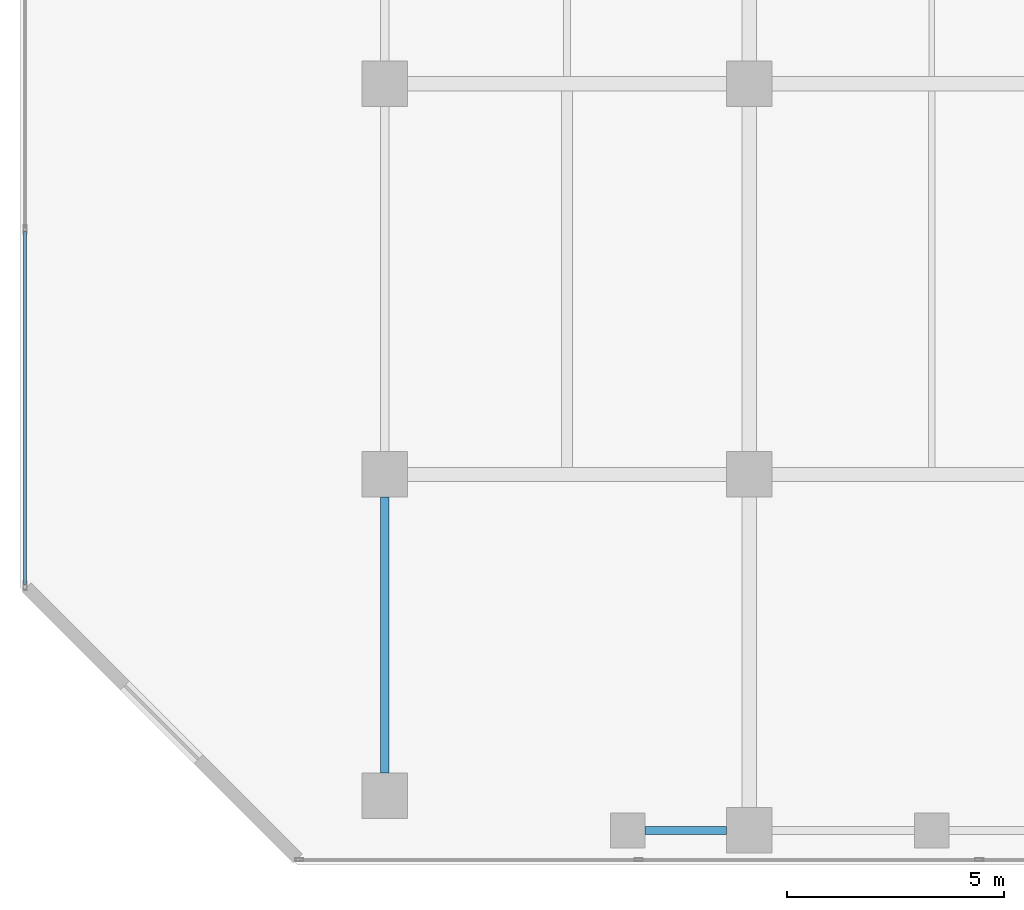
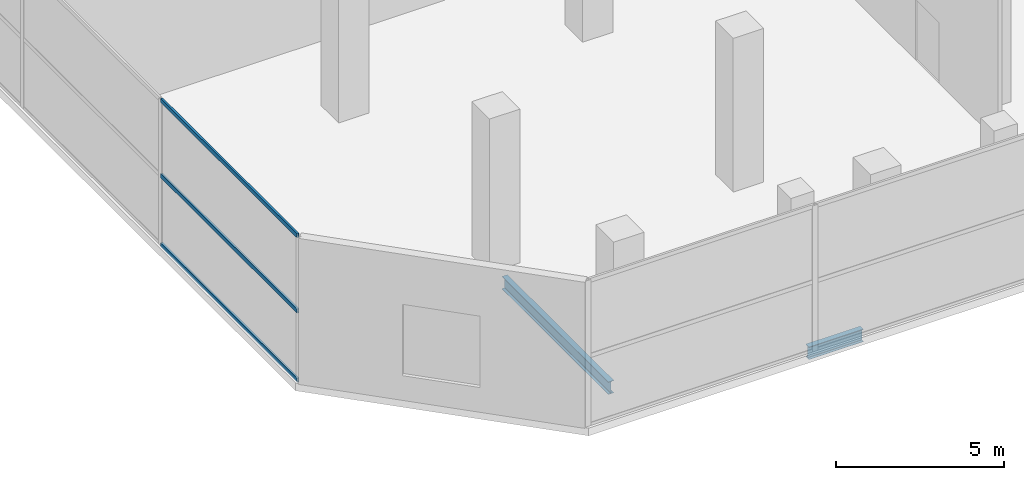
# One storey, part 3 of 40: 3 members, 2 beams, 1 element without a shape of its own.
"""IFC4 building model written with IfcOpenShell, lengths in metres."""

from ifc_helpers import new_model, si_unit, direction, frame, origin, origin_2d, place, context, subcontext, project, spatial, hollow_rectangle, i_section, extrude, material, layer, layer_set, material_profile, profile_set, type_object, element, aggregate, save


model = new_model("IFC4")

# Units and contexts
model_context = context("Model", 3, precision=1e-05, world=origin(), true_north=direction((0.0, 1.0)))
body_context = subcontext(model_context, "Body", "Model", "MODEL_VIEW")
ifc_project = project(units=[si_unit("LENGTHUNIT", "METRE"), si_unit("AREAUNIT", "SQUARE_METRE"), si_unit("VOLUMEUNIT", "CUBIC_METRE"), si_unit("PLANEANGLEUNIT", "RADIAN"), si_unit("MASSUNIT", "GRAM", prefix="KILO")], contexts=[model_context])

# Site, building, storey
site_placement = place(None, origin())
site = spatial("IfcSite", under=ifc_project, at=site_placement, CompositionType="ELEMENT")
building_placement = place(site_placement, origin())
building = spatial("IfcBuilding", under=site, at=building_placement, Name="Maruvema Waterfront Hotel and Observation Tower", CompositionType="ELEMENT")
storey_placement = place(building_placement, frame((0.0, 0.0, 10.85009765625)))
storey = spatial("IfcBuildingStorey", under=building, at=storey_placement, Name="L02", CompositionType="ELEMENT", Elevation=10.85009765625)

# Curtain wall, members
ifc_material_1 = material(Name="Anodised bronze aluminium and solar-control low-E IGU", Category="aluminium")
ifc_layer = layer(ifc_material_1, 0.159912109375, Name="Podium Waterfront Storefront Curtain Wall System CW-01")
ifc_layer_set = layer_set([ifc_layer], Name="Anodised bronze aluminium and solar-control low-E IGU")
curtain_wall_type = type_object("IfcCurtainWallType", Name="Podium Waterfront Storefront Curtain Wall System CW-01", PredefinedType="USERDEFINED", material=ifc_layer_set)
curtain_wall_placement = place(storey_placement, origin())
curtain_wall = element("IfcCurtainWall", 1, at=curtain_wall_placement, inside=storey, type_object=curtain_wall_type, Name="L02 Curtain Wall CW-L02-W", ObjectType="UNITISED CURTAIN WALL", PredefinedType="USERDEFINED")
ifc_material_2 = material(Name="Anodised architectural bronze aluminium", Category="aluminium")
ifc_material_profile_1 = material_profile(ifc_material_2, hollow_rectangle(XDim=0.070068359375, YDim=0.14990234375, WallThickness=0.00390625, at=origin_2d()), Name="ALU-T70x150")
ifc_profile_set_1 = profile_set([ifc_material_profile_1], Name="Anodised architectural bronze aluminium")
member_type = type_object("IfcMemberType", Name="Curtain Wall Horizontal Transom ALU-T70x150", PredefinedType="USERDEFINED", material=ifc_profile_set_1)
member_1_placement = place(storey_placement, frame((0.1201171875, 14.610107421875, 0.02978515625), z_axis=(0.0, -1.0, 0.0), x_axis=(1.0, 0.0, 0.0)))
member_1 = element("IfcMember", 2, at=member_1_placement, type_object=member_type, Name="CW-01 transom 5.1", ObjectType="TRANSOM", PredefinedType="USERDEFINED", context=body_context, shape_type="SweptSolid", body=[
    extrude(hollow_rectangle(XDim=0.070068359375, YDim=0.14990234375, WallThickness=0.00390625, at=origin_2d()), origin(), (0.0, 0.0, 1.0), 8.150146484375),
])
member_2_placement = place(storey_placement, frame((0.1201171875, 14.610107421875, 2.5498046875), z_axis=(0.0, -1.0, 0.0), x_axis=(1.0, 0.0, 0.0)))
member_2 = element("IfcMember", 3, at=member_2_placement, type_object=member_type, Name="CW-01 transom 5.2", ObjectType="TRANSOM", PredefinedType="USERDEFINED", context=body_context, shape_type="SweptSolid", body=[
    extrude(hollow_rectangle(XDim=0.070068359375, YDim=0.14990234375, WallThickness=0.00390625, at=origin_2d()), origin(), (0.0, 0.0, 1.0), 8.150146484375),
])
member_3_placement = place(storey_placement, frame((0.1201171875, 14.610107421875, 5.289794921875), z_axis=(0.0, -1.0, 0.0), x_axis=(1.0, 0.0, 0.0)))
member_3 = element("IfcMember", 4, at=member_3_placement, type_object=member_type, Name="CW-01 transom 5.3", ObjectType="TRANSOM", PredefinedType="USERDEFINED", context=body_context, shape_type="SweptSolid", body=[
    extrude(hollow_rectangle(XDim=0.070068359375, YDim=0.14990234375, WallThickness=0.00390625, at=origin_2d()), origin(), (0.0, 0.0, 1.0), 8.150146484375),
])
aggregate(curtain_wall, [member_1, member_2, member_3])

# Beams
ifc_material_3 = material(Name="Steel ASTM A572 Grade 50", Category="steel")
ifc_material_profile_2 = material_profile(ifc_material_3, i_section(OverallWidth=0.18994140625, OverallDepth=0.45703125, WebThickness=0.009033203125, FlangeThickness=0.014404296875, FilletRadius=0.014892578125, at=origin_2d()), Name="W460x74.0")
ifc_profile_set_2 = profile_set([ifc_material_profile_2], Name="Steel ASTM A572 Grade 50")
beam_type = type_object("IfcBeamType", Name="Perimeter Spandrel Beam W460x74.0", PredefinedType="SPANDREL", material=ifc_profile_set_2)
beam_1_placement = place(storey_placement, frame((14.39990234375, 0.800048828125, -0.508544921875), z_axis=(1.0, 0.0, 0.0), x_axis=(0.0, 1.0, 0.0)))
element("IfcBeam", 5, at=beam_1_placement, inside=storey, type_object=beam_type, Name="L02 Floor Girder EW-01", PredefinedType="SPANDREL", context=body_context, shape_type="SweptSolid", body=[
    extrude(i_section(OverallWidth=0.18994140625, OverallDepth=0.45703125, WebThickness=0.009033203125, FlangeThickness=0.014404296875, FilletRadius=0.014892578125, at=origin_2d()), origin(), (0.0, 0.0, 1.0), 1.875),
])
beam_2_placement = place(storey_placement, frame((8.39990234375, 2.125, -0.508544921875), z_axis=(0.0, 1.0, 0.0), x_axis=(-1.0, 0.0, 0.0)))
element("IfcBeam", 6, at=beam_2_placement, inside=storey, type_object=beam_type, Name="L02 Floor Girder NS-01", PredefinedType="SPANDREL", context=body_context, shape_type="SweptSolid", body=[
    extrude(i_section(OverallWidth=0.18994140625, OverallDepth=0.45703125, WebThickness=0.009033203125, FlangeThickness=0.014404296875, FilletRadius=0.014892578125, at=origin_2d()), origin(), (0.0, 0.0, 1.0), 6.35009765625),
])

save(model, "model.ifc")
